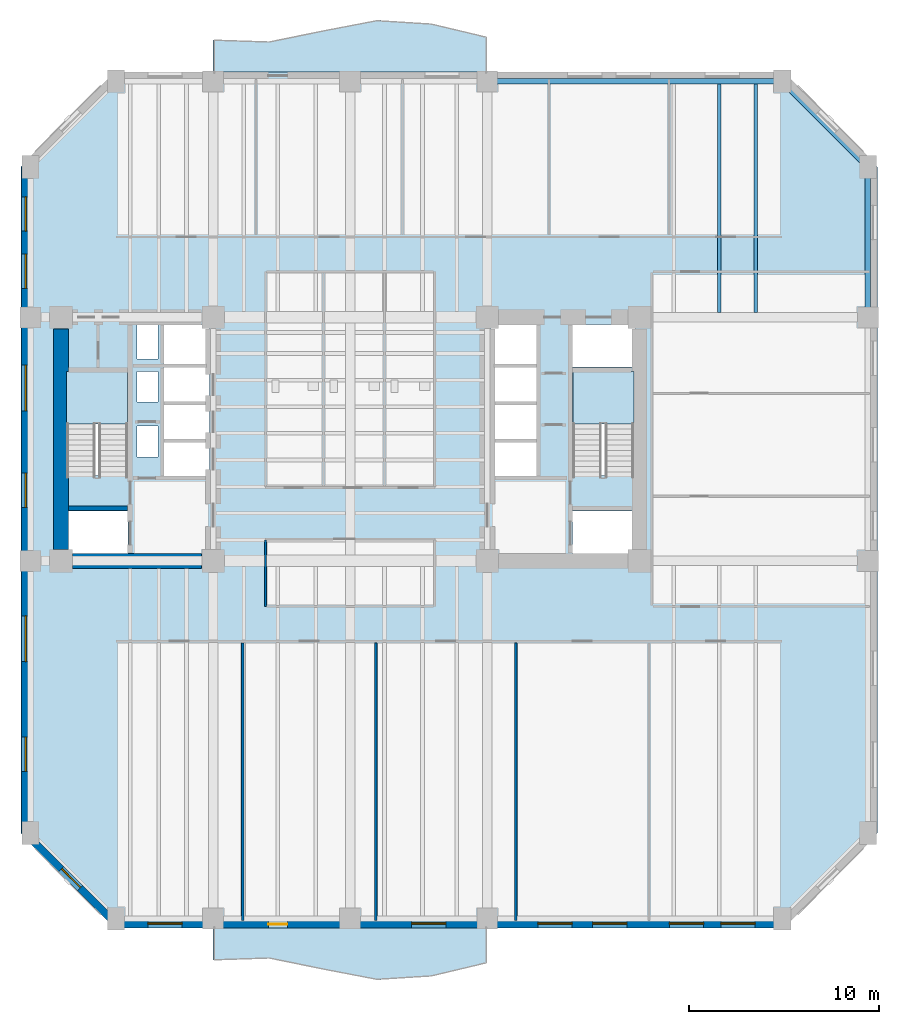
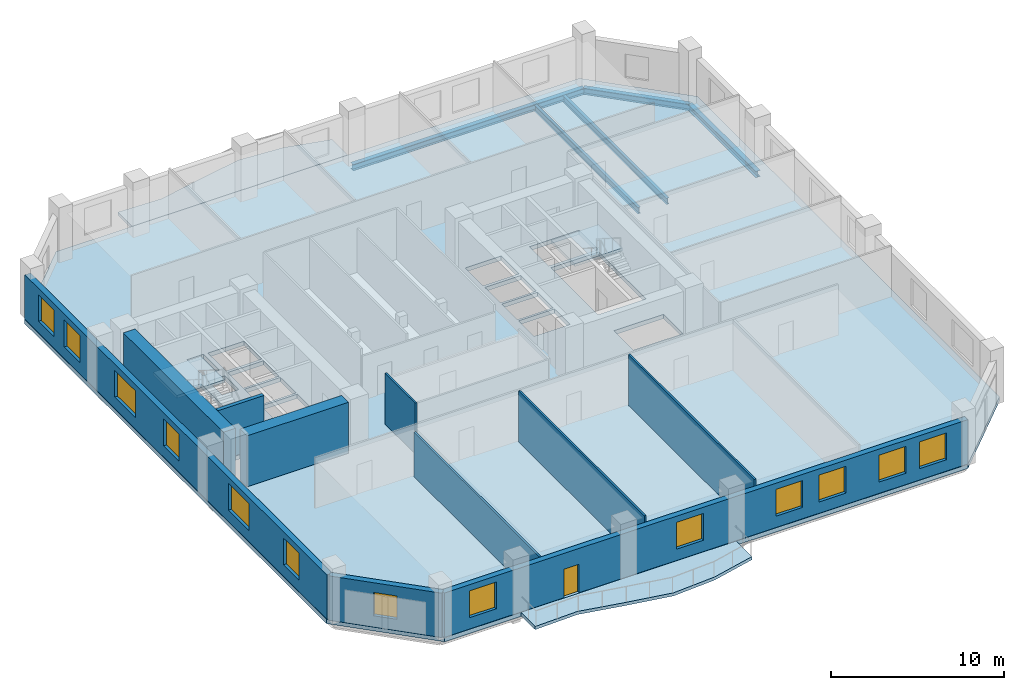
# One storey, part 2 of 9: 13 windows, 10 walls, 5 beams, 5 slabs, 1 door, 14 openings, 2 elements without a shape of their own.
"""IFC4 building model written with IfcOpenShell, lengths in metres."""

import ifcopenshell
import ifcopenshell.guid

model = None  # the IFC model being written
_history = None  # IfcOwnerHistory: only IFC2X3 demands one
_inside = {}  # id of a spatial element -> (the spatial element, [elements in it])
_under = {}  # id of a project, library or spatial element -> (it, [spatial elements below it])
_declared = {}  # id of a project -> (the project, [libraries it declares])
_typed = {}  # id of a type object -> (the type object, [elements of that type])
_made_of = {}  # id of a material, layer set ... -> (it, [elements and type objects made of it])


def new_model(schema):
    """Start an empty IFC model of exactly this schema.

    Asked for "IFC4X3", IfcOpenShell would pick the latest addendum, in which some entities
    have other attributes; the version numbers below select the first issue.
    IFC2X3 requires an IfcOwnerHistory on every rooted entity: one is made here for all.
    """
    global model, _history
    if schema == "IFC4X3":
        model = ifcopenshell.file(schema_version=(4, 3, 0, 0))
    else:
        model = ifcopenshell.file(schema=schema)
    _inside.clear()
    _under.clear()
    _declared.clear()
    _typed.clear()
    _made_of.clear()
    _history = None
    if model.schema == "IFC2X3":
        org = make("IfcOrganization", Name="unknown")
        user = make(
            "IfcPersonAndOrganization",
            ThePerson=make("IfcPerson", FamilyName="unknown"),
            TheOrganization=org,
        )
        app = make(
            "IfcApplication",
            ApplicationDeveloper=org,
            Version="unknown",
            ApplicationFullName="unknown",
            ApplicationIdentifier="unknown",
        )
        _history = make(
            "IfcOwnerHistory",
            OwningUser=user,
            OwningApplication=app,
            ChangeAction="ADDED",
            CreationDate=0,
        )
    return model


def make(cls, **values):
    """One entity of the class cls with the attributes given. An attribute that is None is left unset."""
    return model.create_entity(
        cls, **{name: value for name, value in values.items() if value is not None}
    )


def rooted(cls, **values):
    """An entity with a GlobalId (a new one), such as an element, a storey or a relation."""
    return make(cls, GlobalId=ifcopenshell.guid.new(), OwnerHistory=_history, **values)


def si_unit(unit_type, name, prefix=None):
    """IfcSIUnit, for example si_unit("LENGTHUNIT", "METRE", prefix="MILLI")."""
    return make("IfcSIUnit", UnitType=unit_type, Prefix=prefix, Name=name)


def assignment(units):
    """IfcUnitAssignment: the units of a project."""
    return None if units is None else make("IfcUnitAssignment", Units=units)


def point(xyz):
    """IfcCartesianPoint."""
    return None if xyz is None else make("IfcCartesianPoint", Coordinates=xyz)


def direction(xyz):
    """IfcDirection."""
    return None if xyz is None else make("IfcDirection", DirectionRatios=xyz)


def frame(location, z_axis=None, x_axis=None):
    """IfcAxis2Placement3D, a coordinate frame: its origin and axes. An axis left out is left unset."""
    return make(
        "IfcAxis2Placement3D",
        Location=point(location),
        Axis=direction(z_axis),
        RefDirection=direction(x_axis),
    )


def frame_2d(location, x_axis=None):
    """IfcAxis2Placement2D, a coordinate frame in the plane: its origin and x axis."""
    return make(
        "IfcAxis2Placement2D", Location=point(location), RefDirection=direction(x_axis)
    )


def origin():
    """The frame at (0, 0, 0) with its axes left unset."""
    return frame((0.0, 0.0, 0.0))


def origin_2d():
    """The frame at (0, 0) in the plane with its x axis left unset."""
    return frame_2d((0.0, 0.0))


def place(relative_to, where):
    """IfcLocalPlacement: puts the frame where relative to a parent placement (None: the world)."""
    return make(
        "IfcLocalPlacement", PlacementRelTo=relative_to, RelativePlacement=where
    )


def context(
    kind, dimensions, precision=None, world=None, true_north=None, identifier=None
):
    """IfcGeometricRepresentationContext, for example the 3D "Model" context."""
    return make(
        "IfcGeometricRepresentationContext",
        ContextIdentifier=identifier,
        ContextType=kind,
        CoordinateSpaceDimension=dimensions,
        Precision=precision,
        WorldCoordinateSystem=world,
        TrueNorth=true_north,
    )


def subcontext(parent, identifier, kind, view, scale=None):
    """IfcGeometricRepresentationSubContext, for example "Body" below "Model"."""
    return make(
        "IfcGeometricRepresentationSubContext",
        ContextIdentifier=identifier,
        ContextType=kind,
        ParentContext=parent,
        TargetScale=scale,
        TargetView=view,
    )


def project(units=None, contexts=None):
    """IfcProject with its units and contexts."""
    return rooted(
        "IfcProject",
        Name="project",
        RepresentationContexts=contexts,
        UnitsInContext=assignment(units),
    )


def spatial(cls, under=None, at=None, **own):
    """A site, building, storey or space (cls), placed at a placement, below another one or the project."""
    s = rooted(cls, ObjectPlacement=at, **own)
    if under is not None:
        _under.setdefault(under.id(), (under, []))[1].append(s)
    return s


def polyline(points):
    """IfcPolyline through the points."""
    return make("IfcPolyline", Points=[point(p) for p in points])


def profile(cls, at=None, kind="AREA", **sizes):
    """A parametric profile (cls). Its sizes go by their IFC names, for example OverallWidth=200.0."""
    return make(cls, ProfileType=kind, Position=at, **sizes)


def rectangle(**sizes):
    """IfcRectangleProfileDef."""
    return profile("IfcRectangleProfileDef", **sizes)


def i_section(**sizes):
    """IfcIShapeProfileDef."""
    return profile("IfcIShapeProfileDef", **sizes)


def outline(outer, holes=None, kind="AREA"):
    """IfcArbitraryClosedProfileDef: a profile drawn as a closed curve; with holes, ...WithVoids."""
    if holes is None:
        return make("IfcArbitraryClosedProfileDef", ProfileType=kind, OuterCurve=outer)
    return make(
        "IfcArbitraryProfileDefWithVoids",
        ProfileType=kind,
        OuterCurve=outer,
        InnerCurves=holes,
    )


def extrude(swept, where, along, depth):
    """IfcExtrudedAreaSolid: the profile swept, set in the frame where, extruded along a direction by depth."""
    return make(
        "IfcExtrudedAreaSolid",
        SweptArea=swept,
        Position=where,
        ExtrudedDirection=direction(along),
        Depth=depth,
    )


def shape(context_of_items, identifier, shape_type, items):
    """IfcShapeRepresentation: the items that make up one representation, for example the "Body"."""
    return make(
        "IfcShapeRepresentation",
        ContextOfItems=context_of_items,
        RepresentationIdentifier=identifier,
        RepresentationType=shape_type,
        Items=items,
    )


def material(Name=None, Category=None):
    """IfcMaterial."""
    return make("IfcMaterial", Name=Name, Category=Category)


def layer(
    of_material, thickness, ventilated=None, Name=None, Category=None, Priority=None
):
    """IfcMaterialLayer: one layer of a wall or slab, of a material (None: an air gap)."""
    return make(
        "IfcMaterialLayer",
        Material=of_material,
        LayerThickness=thickness,
        IsVentilated=ventilated,
        Name=Name,
        Category=Category,
        Priority=Priority,
    )


def layer_set(layers, Name=None):
    """IfcMaterialLayerSet."""
    return make("IfcMaterialLayerSet", MaterialLayers=layers, LayerSetName=Name)


def material_profile(
    of_material, cross_section, Name=None, Category=None, Priority=None
):
    """IfcMaterialProfile: a cross section and its material."""
    return make(
        "IfcMaterialProfile",
        Name=Name,
        Material=of_material,
        Profile=cross_section,
        Priority=Priority,
        Category=Category,
    )


def profile_set(profiles, Name=None, composite=None):
    """IfcMaterialProfileSet."""
    return make(
        "IfcMaterialProfileSet",
        Name=Name,
        MaterialProfiles=profiles,
        CompositeProfile=composite,
    )


def made_of(thing, what):
    """Note that an element or type object is made of a material, layer set ...; save() writes the relation."""
    if what is not None:
        _made_of.setdefault(what.id(), (what, []))[1].append(thing)
    return thing


def type_object(cls, material=None, **own):
    """A type object (cls), such as IfcWallType, which elements share."""
    return made_of(rooted(cls, **own), material)


def element(
    cls,
    number,
    at=None,
    inside=None,
    cuts=None,
    type_object=None,
    material=None,
    context=None,
    identifier="Body",
    shape_type=None,
    held_by="IfcProductDefinitionShape",
    body=None,
    shapes=None,
    **own,
):
    """One element of the class cls, such as IfcWall. Its Tag is "e" and its number.

    at: its placement. inside: the storey or other place that contains it. cuts: it is an
    opening in that element (IfcRelVoidsElement). A single representation is given by context,
    identifier, shape_type and body (its items); several are given by shapes. held_by: the class
    of the entity that holds the representations. save() writes the other relations.
    """
    e = rooted(cls, Tag="e%d" % number, ObjectPlacement=at, **own)
    if body is not None:
        shapes = [shape(context, identifier, shape_type, body)]
    if shapes is not None:
        e.Representation = make(held_by, Representations=shapes)
    if inside is not None:
        _inside.setdefault(inside.id(), (inside, []))[1].append(e)
    if cuts is not None:
        rooted(
            "IfcRelVoidsElement", RelatingBuildingElement=cuts, RelatedOpeningElement=e
        )
    if type_object is not None:
        _typed.setdefault(type_object.id(), (type_object, []))[1].append(e)
    return made_of(e, material)


def fill(opening, filler):
    """IfcRelFillsElement: the door or window that sits in an opening."""
    return rooted(
        "IfcRelFillsElement",
        RelatingOpeningElement=opening,
        RelatedBuildingElement=filler,
    )


def aggregate(whole, parts):
    """IfcRelAggregates: a whole, such as a stair, and the parts it consists of."""
    return rooted("IfcRelAggregates", RelatingObject=whole, RelatedObjects=parts)


def save(model, path):
    """Write the relations noted so far, then the file.

    IfcRelAggregates (storeys below a building ...), IfcRelContainedInSpatialStructure (elements
    in a storey), IfcRelDefinesByType, IfcRelAssociatesMaterial and IfcRelDeclares: one each for
    every whole, place, type object, material and project.
    """
    for whole, parts in _under.values():
        aggregate(whole, parts)
    for where, things in _inside.values():
        rooted(
            "IfcRelContainedInSpatialStructure",
            RelatedElements=things,
            RelatingStructure=where,
        )
    for kind, things in _typed.values():
        rooted("IfcRelDefinesByType", RelatedObjects=things, RelatingType=kind)
    for what, things in _made_of.values():
        rooted("IfcRelAssociatesMaterial", RelatedObjects=things, RelatingMaterial=what)
    for by, libraries in _declared.values():
        rooted("IfcRelDeclares", RelatingContext=by, RelatedDefinitions=libraries)
    model.write(path)


model = new_model("IFC4")

# Units and contexts
model_context = context("Model", 3, precision=1e-05, world=origin(), true_north=direction((0.0, 1.0)))
body_context = subcontext(model_context, "Body", "Model", "MODEL_VIEW")
ifc_project = project(units=[si_unit("LENGTHUNIT", "METRE"), si_unit("AREAUNIT", "SQUARE_METRE"), si_unit("VOLUMEUNIT", "CUBIC_METRE"), si_unit("PLANEANGLEUNIT", "RADIAN"), si_unit("MASSUNIT", "GRAM", prefix="KILO")], contexts=[model_context])

# Site, building, storey
site_placement = place(None, origin())
site = spatial("IfcSite", under=ifc_project, at=site_placement, CompositionType="ELEMENT")
building_placement = place(site_placement, origin())
building = spatial("IfcBuilding", under=site, at=building_placement, Name="Kranthara Brick Stack", CompositionType="ELEMENT")
storey_placement = place(building_placement, frame((0.0, 0.0, 63.300048828125)))
storey = spatial("IfcBuildingStorey", under=building, at=storey_placement, Name="L15", CompositionType="ELEMENT", Elevation=63.300048828125)

# Beams
ifc_material_1 = material(Name="Steel S355", Category="steel")
ifc_material_profile_1 = material_profile(ifc_material_1, i_section(OverallWidth=0.18994140625, OverallDepth=0.449951171875, WebThickness=0.009521484375, FlangeThickness=0.0146484375, at=origin_2d()), Name="IPE 450")
ifc_profile_set_1 = profile_set([ifc_material_profile_1], Name="Steel S355")
beam_type_1 = type_object("IfcBeamType", Name="BM-JST-IPE450", PredefinedType="JOIST", material=ifc_profile_set_1)
for number, where, z_axis, x_axis, name in (
    (1, (47.39990234375, 33.85009765625, -0.525146484375), (0.0, 1.0, 0.0), (-1.0, 0.0, 0.0), "L15 North Wing Floor Joist 073"),
    (2, (49.300048828125, 33.85009765625, -0.525146484375), (0.0, 1.0, 0.0), (-1.0, 0.0, 0.0), "L15 North Wing Floor Joist 075"),
):
    element("IfcBeam", number, at=place(storey_placement, frame(where, z_axis=z_axis, x_axis=x_axis)), inside=storey, type_object=beam_type_1, Name=name, PredefinedType="JOIST", context=body_context, shape_type="SweptSolid", body=[
        extrude(i_section(OverallWidth=0.18994140625, OverallDepth=0.449951171875, WebThickness=0.009521484375, FlangeThickness=0.0146484375, at=origin_2d()), origin(), (0.0, 0.0, 1.0), 12.0),
    ])
ifc_material_2 = material(Name="Steel S355", Category="steel")
ifc_material_profile_2 = material_profile(ifc_material_2, i_section(OverallWidth=0.300048828125, OverallDepth=0.449951171875, WebThickness=0.013916015625, FlangeThickness=0.02587890625, at=origin_2d()), Name="HEB 450")
ifc_profile_set_2 = profile_set([ifc_material_profile_2], Name="Steel S355")
beam_type_2 = type_object("IfcBeamType", Name="BM-STL-HEB450", PredefinedType="SPANDREL", material=ifc_profile_set_2)
beam_1_placement = place(storey_placement, frame((35.199951171875, 46.0, -0.525146484375), z_axis=(1.0, 0.0, 0.0), x_axis=(0.0, 1.0, 0.0)))
element("IfcBeam", 3, at=beam_1_placement, inside=storey, type_object=beam_type_2, Name="L15 Perimeter Spandrel Beam 012", PredefinedType="SPANDREL", context=body_context, shape_type="SweptSolid", body=[
    extrude(i_section(OverallWidth=0.300048828125, OverallDepth=0.449951171875, WebThickness=0.013916015625, FlangeThickness=0.02587890625, at=origin_2d()), origin(), (0.0, 0.0, 1.0), 15.5),
])
beam_2_placement = place(storey_placement, frame((55.199951171875, 33.60009765625, -0.525146484375), z_axis=(0.0, 1.0, 0.0), x_axis=(-1.0, 0.0, 0.0)))
element("IfcBeam", 4, at=beam_2_placement, inside=storey, type_object=beam_type_2, Name="L15 Perimeter Spandrel Beam 018", PredefinedType="SPANDREL", context=body_context, shape_type="SweptSolid", body=[
    extrude(i_section(OverallWidth=0.300048828125, OverallDepth=0.449951171875, WebThickness=0.013916015625, FlangeThickness=0.02587890625, at=origin_2d()), origin(), (0.0, 0.0, 1.0), 7.89990234375),
])
beam_3_placement = place(storey_placement, frame((50.699951171875, 46.0, -0.525146484375), z_axis=(0.707106781187, -0.707106781187, 0.0), x_axis=(0.707106781187, 0.707106781187, 0.0)))
element("IfcBeam", 5, at=beam_3_placement, inside=storey, type_object=beam_type_2, Name="L15 Chamfer Corner Spandrel 022", PredefinedType="SPANDREL", context=body_context, shape_type="SweptSolid", body=[
    extrude(i_section(OverallWidth=0.300048828125, OverallDepth=0.449951171875, WebThickness=0.013916015625, FlangeThickness=0.02587890625, at=origin_2d()), origin(), (0.0, 0.0, 1.0), 6.364013671875),
])

# Slabs
ifc_material_3 = material(Name="Concrete C45/55", Category="concrete")
ifc_layer_1 = layer(ifc_material_3, 0.219970703125)
ifc_layer_set_1 = layer_set([ifc_layer_1], Name="Concrete C45/55")
slab_type_1 = type_object("IfcSlabType", Name="SLB-BALC-220", PredefinedType="FLOOR", material=ifc_layer_set_1)
slab_1_placement = place(storey_placement, frame((0.0, 0.0, -0.219970703125)))
element("IfcSlab", 6, at=slab_1_placement, inside=storey, type_object=slab_type_1, Name="L15 South Rippling Balcony Slab", PredefinedType="FLOOR", context=body_context, shape_type="SweptSolid", body=[
    extrude(outline(polyline([(20.800048828125, 1.5), (35.199951171875, 1.5), (35.199951171875, -0.321533203125), (32.320068359375, -1.019775390625), (29.43994140625, -1.221435546875), (26.56005859375, -0.673095703125), (23.679931640625, -0.064208984375), (20.800048828125, -0.16064453125), (20.800048828125, 1.5)])), origin(), (0.0, 0.0, 1.0), 0.219970703125),
])
slab_2_placement = place(storey_placement, frame((0.0, 0.0, -0.219970703125)))
element("IfcSlab", 7, at=slab_2_placement, inside=storey, type_object=slab_type_1, Name="L15 North Rippling Balcony Slab", PredefinedType="FLOOR", context=body_context, shape_type="SweptSolid", body=[
    extrude(outline(polyline([(35.199951171875, 46.5), (20.800048828125, 46.5), (20.800048828125, 48.16064453125), (23.679931640625, 48.064208984375), (26.56005859375, 48.673095703125), (29.43994140625, 49.221435546875), (32.320068359375, 49.019775390625), (35.199951171875, 48.321533203125), (35.199951171875, 46.5)])), origin(), (0.0, 0.0, 1.0), 0.219970703125),
])

# Stair, slab
ifc_material_4 = material(Name="Concrete C45/55", Category="concrete")
stair_type = type_object("IfcStairType", Name="ST-CORE-22R", PredefinedType="HALF_TURN_STAIR", material=ifc_material_4)
stair_1_placement = place(storey_placement, origin())
stair_1 = element("IfcStair", 8, at=stair_1_placement, inside=storey, type_object=stair_type, Name="L15 West Core Protected Exit Stair ST01", PredefinedType="HALF_TURN_STAIR")
ifc_material_5 = material(Name="Concrete C45/55", Category="concrete")
ifc_layer_2 = layer(ifc_material_5, 0.199951171875)
ifc_layer_set_2 = layer_set([ifc_layer_2], Name="Concrete C45/55")
slab_type_2 = type_object("IfcSlabType", Name="SLB-LANDING-200", PredefinedType="LANDING", material=ifc_layer_set_2)
slab_3_placement = place(storey_placement, frame((0.0, 0.0, 1.75)))
slab_3 = element("IfcSlab", 9, at=slab_3_placement, type_object=slab_type_2, Name="ST01 landing 1", PredefinedType="LANDING", context=body_context, shape_type="SweptSolid", body=[
    extrude(outline(polyline([(16.300048828125, 28.0), (16.300048828125, 30.75), (13.10009765625, 30.75), (13.10009765625, 28.0), (16.300048828125, 28.0)])), origin(), (0.0, 0.0, 1.0), 0.199951171875),
])
aggregate(stair_1, [slab_3])

stair_2_placement = place(storey_placement, origin())
stair_2 = element("IfcStair", 10, at=stair_2_placement, inside=storey, type_object=stair_type, Name="L15 East Core Protected Exit Stair ST02", PredefinedType="HALF_TURN_STAIR")
slab_4_placement = place(storey_placement, frame((0.0, 0.0, 1.75)))
slab_4 = element("IfcSlab", 11, at=slab_4_placement, type_object=slab_type_2, Name="ST02 landing 1", PredefinedType="LANDING", context=body_context, shape_type="SweptSolid", body=[
    extrude(outline(polyline([(42.89990234375, 28.0), (42.89990234375, 30.75), (39.699951171875, 30.75), (39.699951171875, 28.0), (42.89990234375, 28.0)])), origin(), (0.0, 0.0, 1.0), 0.199951171875),
])
aggregate(stair_2, [slab_4])

# Slab
ifc_material_6 = material(Name="Post-tensioned concrete C45/55", Category="concrete")
ifc_layer_3 = layer(ifc_material_6, 0.300048828125)
ifc_layer_set_3 = layer_set([ifc_layer_3], Name="Post-tensioned concrete C45/55")
slab_type_3 = type_object("IfcSlabType", Name="SLB-TWR-300", PredefinedType="FLOOR", material=ifc_layer_set_3)
slab_5_placement = place(storey_placement, frame((0.0, 0.0, -0.300048828125)))
element("IfcSlab", 12, at=slab_5_placement, inside=storey, type_object=slab_type_3, Name="L15 Structural Floor Plate", PredefinedType="FLOOR", context=body_context, shape_type="SweptSolid", body=[
    extrude(outline(polyline([(15.699951171875, 1.5), (50.699951171875, 1.5), (55.699951171875, 6.5), (55.699951171875, 41.5), (50.699951171875, 46.5), (15.699951171875, 46.5), (10.699951171875, 41.5), (10.699951171875, 6.5), (15.699951171875, 1.5)]), holes=[polyline([(13.10009765625, 25.280029296875), (16.300048828125, 25.280029296875), (16.300048828125, 30.75), (13.10009765625, 30.75), (13.10009765625, 25.280029296875)]), polyline([(39.699951171875, 25.280029296875), (42.89990234375, 25.280029296875), (42.89990234375, 30.75), (39.699951171875, 30.75), (39.699951171875, 25.280029296875)]), polyline([(13.0, 21.179931640625), (16.320068359375, 21.179931640625), (16.320068359375, 23.419921875), (13.0, 23.419921875), (13.0, 21.179931640625)]), polyline([(39.679931640625, 21.179931640625), (43.0, 21.179931640625), (43.0, 23.419921875), (39.679931640625, 23.419921875), (39.679931640625, 21.179931640625)]), polyline([(39.679931640625, 30.97998046875), (43.0, 30.97998046875), (43.0, 33.219970703125), (39.679931640625, 33.219970703125), (39.679931640625, 30.97998046875)]), polyline([(18.199951171875, 25.25), (20.60009765625, 25.25), (20.60009765625, 27.050048828125), (18.199951171875, 27.050048828125), (18.199951171875, 25.25)]), polyline([(18.199951171875, 27.199951171875), (20.60009765625, 27.199951171875), (20.60009765625, 29.0), (18.199951171875, 29.0), (18.199951171875, 27.199951171875)]), polyline([(18.199951171875, 29.14990234375), (20.60009765625, 29.14990234375), (20.60009765625, 30.949951171875), (18.199951171875, 30.949951171875), (18.199951171875, 29.14990234375)]), polyline([(35.39990234375, 25.25), (37.800048828125, 25.25), (37.800048828125, 27.050048828125), (35.39990234375, 27.050048828125), (35.39990234375, 25.25)]), polyline([(35.39990234375, 27.199951171875), (37.800048828125, 27.199951171875), (37.800048828125, 29.0), (35.39990234375, 29.0), (35.39990234375, 27.199951171875)]), polyline([(35.39990234375, 29.14990234375), (37.800048828125, 29.14990234375), (37.800048828125, 30.949951171875), (35.39990234375, 30.949951171875), (35.39990234375, 29.14990234375)]), polyline([(18.199951171875, 31.14990234375), (20.60009765625, 31.14990234375), (20.60009765625, 33.219970703125), (18.199951171875, 33.219970703125), (18.199951171875, 31.14990234375)]), polyline([(35.39990234375, 31.14990234375), (37.800048828125, 31.14990234375), (37.800048828125, 33.219970703125), (35.39990234375, 33.219970703125), (35.39990234375, 31.14990234375)]), polyline([(16.800048828125, 26.25), (17.89990234375, 26.25), (17.89990234375, 27.89990234375), (16.800048828125, 27.89990234375), (16.800048828125, 26.25)]), polyline([(16.800048828125, 29.14990234375), (17.89990234375, 29.14990234375), (17.89990234375, 30.75), (16.800048828125, 30.75), (16.800048828125, 29.14990234375)]), polyline([(16.800048828125, 31.39990234375), (17.89990234375, 31.39990234375), (17.89990234375, 33.25), (16.800048828125, 33.25), (16.800048828125, 31.39990234375)])]), origin(), (0.0, 0.0, 1.0), 0.300048828125),
])

# Wall, openings, door, windows
ifc_material_7 = material(Name="Kiln-fired clay brick masonry M15", Category="masonry")
ifc_layer_4 = layer(ifc_material_7, 0.3798828125)
ifc_layer_set_4 = layer_set([ifc_layer_4], Name="Kiln-fired clay brick masonry M15")
wall_type_1 = type_object("IfcWallType", Name="WL-BRK-PIER-380", PredefinedType="STANDARD", material=ifc_layer_set_4)
wall_1_placement = place(storey_placement, frame((50.699951171875, 1.7099609375, 0.0), z_axis=(0.0, 0.0, 1.0), x_axis=(-1.0, 0.0, 0.0)))
wall_1 = element("IfcWall", 13, at=wall_1_placement, inside=storey, type_object=wall_type_1, Name="L15 Exterior Brick Facade Wall SOUTH 1", PredefinedType="STANDARD", context=body_context, shape_type="SweptSolid", body=[
    extrude(rectangle(XDim=35.0, YDim=0.3798828125, at=frame_2d((17.5, 0.0))), origin(), (0.0, 0.0, 1.0), 3.135009765625),
])
opening_1_placement = place(wall_1_placement, frame((26.0, 0.0, 0.0)))
opening_1 = element("IfcOpeningElement", 14, at=opening_1_placement, cuts=wall_1, Name="Opening D03", PredefinedType="OPENING", context=body_context, shape_type="SweptSolid", body=[
    extrude(rectangle(XDim=1.0, YDim=2.02001953125, at=frame_2d((0.5, 1.010009765625))), frame((0.0, 0.199951171875, 0.0), z_axis=(0.0, -1.0, 0.0), x_axis=(1.0, 0.0, 0.0)), (0.0, 0.0, 1.0), 0.39990234375),
])
opening_2_placement = place(wall_1_placement, frame((1.4189453125, 0.0, 0.800048828125)))
opening_2 = element("IfcOpeningElement", 15, at=opening_2_placement, cuts=wall_1, Name="Opening WN01", PredefinedType="OPENING", context=body_context, shape_type="SweptSolid", body=[
    extrude(rectangle(XDim=1.800048828125, YDim=1.89990234375, at=frame_2d((0.89990234375, 0.949951171875))), frame((0.0, 0.199951171875, 0.0), z_axis=(0.0, -1.0, 0.0), x_axis=(1.0, 0.0, 0.0)), (0.0, 0.0, 1.0), 0.39990234375),
])
opening_3_placement = place(wall_1_placement, frame((4.131103515625, 0.0, 0.800048828125)))
opening_3 = element("IfcOpeningElement", 16, at=opening_3_placement, cuts=wall_1, Name="Opening WN01", PredefinedType="OPENING", context=body_context, shape_type="SweptSolid", body=[
    extrude(rectangle(XDim=1.800048828125, YDim=1.89990234375, at=frame_2d((0.89990234375, 0.949951171875))), frame((0.0, 0.199951171875, 0.0), z_axis=(0.0, -1.0, 0.0), x_axis=(1.0, 0.0, 0.0)), (0.0, 0.0, 1.0), 0.39990234375),
])
opening_4_placement = place(wall_1_placement, frame((8.159912109375, 0.0, 0.800048828125)))
opening_4 = element("IfcOpeningElement", 17, at=opening_4_placement, cuts=wall_1, Name="Opening WN01", PredefinedType="OPENING", context=body_context, shape_type="SweptSolid", body=[
    extrude(rectangle(XDim=1.800048828125, YDim=1.89990234375, at=frame_2d((0.89990234375, 0.949951171875))), frame((0.0, 0.199951171875, 0.0), z_axis=(0.0, -1.0, 0.0), x_axis=(1.0, 0.0, 0.0)), (0.0, 0.0, 1.0), 0.39990234375),
])
opening_5_placement = place(wall_1_placement, frame((11.0400390625, 0.0, 0.800048828125)))
opening_5 = element("IfcOpeningElement", 18, at=opening_5_placement, cuts=wall_1, Name="Opening WN01", PredefinedType="OPENING", context=body_context, shape_type="SweptSolid", body=[
    extrude(rectangle(XDim=1.800048828125, YDim=1.89990234375, at=frame_2d((0.89990234375, 0.949951171875))), frame((0.0, 0.199951171875, 0.0), z_axis=(0.0, -1.0, 0.0), x_axis=(1.0, 0.0, 0.0)), (0.0, 0.0, 1.0), 0.39990234375),
])
opening_6_placement = place(wall_1_placement, frame((17.675048828125, 0.0, 0.800048828125)))
opening_6 = element("IfcOpeningElement", 19, at=opening_6_placement, cuts=wall_1, Name="Opening WN01", PredefinedType="OPENING", context=body_context, shape_type="SweptSolid", body=[
    extrude(rectangle(XDim=1.800048828125, YDim=1.89990234375, at=frame_2d((0.89990234375, 0.949951171875))), frame((0.0, 0.199951171875, 0.0), z_axis=(0.0, -1.0, 0.0), x_axis=(1.0, 0.0, 0.0)), (0.0, 0.0, 1.0), 0.39990234375),
])
opening_7_placement = place(wall_1_placement, frame((31.52490234375, 0.0, 0.800048828125)))
opening_7 = element("IfcOpeningElement", 20, at=opening_7_placement, cuts=wall_1, Name="Opening WN01", PredefinedType="OPENING", context=body_context, shape_type="SweptSolid", body=[
    extrude(rectangle(XDim=1.800048828125, YDim=1.89990234375, at=frame_2d((0.89990234375, 0.949951171875))), frame((0.0, 0.199951171875, 0.0), z_axis=(0.0, -1.0, 0.0), x_axis=(1.0, 0.0, 0.0)), (0.0, 0.0, 1.0), 0.39990234375),
])
ifc_material_8 = material(Name="Bronze anodised aluminium and laminated glass", Category="aluminium")
door_type = type_object("IfcDoorType", Name="DR-BALC-1000", OperationType="NOTDEFINED", PredefinedType="DOOR", material=ifc_material_8)
door_placement = place(opening_1_placement, origin())
door = element("IfcDoor", 21, at=door_placement, inside=storey, type_object=door_type, Name="L15 South Balcony Terrace Door", OperationType="SINGLE_SWING_LEFT", OverallHeight=2.02001953125, OverallWidth=1.0, PredefinedType="DOOR", context=body_context, shape_type="SweptSolid", body=[
    extrude(rectangle(XDim=1.0, YDim=2.02001953125, at=frame_2d((0.5, 1.010009765625))), frame((0.0, 0.02490234375, 0.0), z_axis=(0.0, -1.0, 0.0), x_axis=(1.0, 0.0, 0.0)), (0.0, 0.0, 1.0), 0.050048828125),
])
fill(opening_1, door)
ifc_material_9 = material(Name="Double-glazed low-E solar control glass", Category="glass")
window_type_1 = type_object("IfcWindowType", Name="WN-OFF-1800x2000", PartitioningType="SINGLE_PANEL", PredefinedType="WINDOW", material=ifc_material_9)
window_1_placement = place(opening_2_placement, origin())
window_1 = element("IfcWindow", 22, at=window_1_placement, inside=storey, type_object=window_type_1, Name="L15 South Deep-Set Brick Window 01", OverallHeight=1.89990234375, OverallWidth=1.800048828125, PartitioningType="SINGLE_PANEL", PredefinedType="WINDOW", context=body_context, shape_type="SweptSolid", body=[
    extrude(rectangle(XDim=1.800048828125, YDim=1.89990234375, at=frame_2d((0.89990234375, 0.949951171875))), frame((0.0, -0.010009765625, 0.0), z_axis=(0.0, -1.0, 0.0), x_axis=(1.0, 0.0, 0.0)), (0.0, 0.0, 1.0), 0.06005859375),
])
fill(opening_2, window_1)
window_2_placement = place(opening_3_placement, origin())
window_2 = element("IfcWindow", 23, at=window_2_placement, inside=storey, type_object=window_type_1, Name="L15 South Deep-Set Brick Window 02", OverallHeight=1.89990234375, OverallWidth=1.800048828125, PartitioningType="SINGLE_PANEL", PredefinedType="WINDOW", context=body_context, shape_type="SweptSolid", body=[
    extrude(rectangle(XDim=1.800048828125, YDim=1.89990234375, at=frame_2d((0.89990234375, 0.949951171875))), frame((0.0, -0.010009765625, 0.0), z_axis=(0.0, -1.0, 0.0), x_axis=(1.0, 0.0, 0.0)), (0.0, 0.0, 1.0), 0.06005859375),
])
fill(opening_3, window_2)
window_3_placement = place(opening_4_placement, origin())
window_3 = element("IfcWindow", 24, at=window_3_placement, inside=storey, type_object=window_type_1, Name="L15 South Deep-Set Brick Window 03", OverallHeight=1.89990234375, OverallWidth=1.800048828125, PartitioningType="SINGLE_PANEL", PredefinedType="WINDOW", context=body_context, shape_type="SweptSolid", body=[
    extrude(rectangle(XDim=1.800048828125, YDim=1.89990234375, at=frame_2d((0.89990234375, 0.949951171875))), frame((0.0, -0.010009765625, 0.0), z_axis=(0.0, -1.0, 0.0), x_axis=(1.0, 0.0, 0.0)), (0.0, 0.0, 1.0), 0.06005859375),
])
fill(opening_4, window_3)
window_4_placement = place(opening_5_placement, origin())
window_4 = element("IfcWindow", 25, at=window_4_placement, inside=storey, type_object=window_type_1, Name="L15 South Deep-Set Brick Window 04", OverallHeight=1.89990234375, OverallWidth=1.800048828125, PartitioningType="SINGLE_PANEL", PredefinedType="WINDOW", context=body_context, shape_type="SweptSolid", body=[
    extrude(rectangle(XDim=1.800048828125, YDim=1.89990234375, at=frame_2d((0.89990234375, 0.949951171875))), frame((0.0, -0.010009765625, 0.0), z_axis=(0.0, -1.0, 0.0), x_axis=(1.0, 0.0, 0.0)), (0.0, 0.0, 1.0), 0.06005859375),
])
fill(opening_5, window_4)
window_5_placement = place(opening_6_placement, origin())
window_5 = element("IfcWindow", 26, at=window_5_placement, inside=storey, type_object=window_type_1, Name="L15 South Deep-Set Brick Window 05", OverallHeight=1.89990234375, OverallWidth=1.800048828125, PartitioningType="SINGLE_PANEL", PredefinedType="WINDOW", context=body_context, shape_type="SweptSolid", body=[
    extrude(rectangle(XDim=1.800048828125, YDim=1.89990234375, at=frame_2d((0.89990234375, 0.949951171875))), frame((0.0, -0.010009765625, 0.0), z_axis=(0.0, -1.0, 0.0), x_axis=(1.0, 0.0, 0.0)), (0.0, 0.0, 1.0), 0.06005859375),
])
fill(opening_6, window_5)
window_6_placement = place(opening_7_placement, origin())
window_6 = element("IfcWindow", 27, at=window_6_placement, inside=storey, type_object=window_type_1, Name="L15 South Deep-Set Brick Window 06", OverallHeight=1.89990234375, OverallWidth=1.800048828125, PartitioningType="SINGLE_PANEL", PredefinedType="WINDOW", context=body_context, shape_type="SweptSolid", body=[
    extrude(rectangle(XDim=1.800048828125, YDim=1.89990234375, at=frame_2d((0.89990234375, 0.949951171875))), frame((0.0, -0.010009765625, 0.0), z_axis=(0.0, -1.0, 0.0), x_axis=(1.0, 0.0, 0.0)), (0.0, 0.0, 1.0), 0.06005859375),
])
fill(opening_7, window_6)

# Wall, opening, window
wall_2_placement = place(storey_placement, frame((15.699951171875, 1.7099609375, 0.0), z_axis=(0.0, 0.0, 1.0), x_axis=(-0.707106781187, 0.707106781187, 0.0)))
wall_2 = element("IfcWall", 28, at=wall_2_placement, inside=storey, type_object=wall_type_1, Name="L15 Exterior Brick Facade Wall SW 1", PredefinedType="STANDARD", context=body_context, shape_type="SweptSolid", body=[
    extrude(rectangle(XDim=6.774169921875, YDim=0.3798828125, at=frame_2d((3.38720703125, 0.0))), origin(), (0.0, 0.0, 1.0), 3.135009765625),
])
opening_8_placement = place(wall_2_placement, frame((2.68701171875, 0.0, 0.800048828125)))
opening_8 = element("IfcOpeningElement", 29, at=opening_8_placement, cuts=wall_2, Name="Opening WN10", PredefinedType="OPENING", context=body_context, shape_type="SweptSolid", body=[
    extrude(rectangle(XDim=1.39990234375, YDim=1.64990234375, at=frame_2d((0.699951171875, 0.824951171875))), frame((0.0, 0.199951171875, 0.0), z_axis=(0.0, -1.0, 0.0), x_axis=(1.0, 0.0, 0.0)), (0.0, 0.0, 1.0), 0.39990234375),
])
ifc_material_10 = material(Name="Double-glazed low-E solar control glass", Category="glass")
window_type_2 = type_object("IfcWindowType", Name="WN-CHM-1400x1750", PartitioningType="SINGLE_PANEL", PredefinedType="WINDOW", material=ifc_material_10)
window_7_placement = place(opening_8_placement, origin())
window_7 = element("IfcWindow", 30, at=window_7_placement, inside=storey, type_object=window_type_2, Name="L15 SW Chamfer Corner Window", OverallHeight=1.64990234375, OverallWidth=1.39990234375, PartitioningType="SINGLE_PANEL", PredefinedType="WINDOW", context=body_context, shape_type="SweptSolid", body=[
    extrude(rectangle(XDim=1.39990234375, YDim=1.64990234375, at=frame_2d((0.699951171875, 0.824951171875))), frame((0.0, -0.010009765625, 0.0), z_axis=(0.0, -1.0, 0.0), x_axis=(1.0, 0.0, 0.0)), (0.0, 0.0, 1.0), 0.06005859375),
])
fill(opening_8, window_7)

# Wall, openings, windows
wall_3_placement = place(storey_placement, frame((10.909912109375, 6.5, 0.0), z_axis=(0.0, 0.0, 1.0), x_axis=(0.0, 1.0, 0.0)))
wall_3 = element("IfcWall", 31, at=wall_3_placement, inside=storey, type_object=wall_type_1, Name="L15 Exterior Brick Facade Wall WEST 1", PredefinedType="STANDARD", context=body_context, shape_type="SweptSolid", body=[
    extrude(rectangle(XDim=35.0, YDim=0.3798828125, at=frame_2d((17.5, 0.0))), origin(), (0.0, 0.0, 1.0), 3.135009765625),
])
opening_9_placement = place(wall_3_placement, frame((3.239013671875, 0.0, 0.800048828125)))
opening_9 = element("IfcOpeningElement", 32, at=opening_9_placement, cuts=wall_3, Name="Opening WN01", PredefinedType="OPENING", context=body_context, shape_type="SweptSolid", body=[
    extrude(rectangle(XDim=1.800048828125, YDim=1.89990234375, at=frame_2d((0.89990234375, 0.949951171875))), frame((0.0, 0.199951171875, 0.0), z_axis=(0.0, -1.0, 0.0), x_axis=(1.0, 0.0, 0.0)), (0.0, 0.0, 1.0), 0.39990234375),
])
opening_10_placement = place(wall_3_placement, frame((9.010986328125, 0.0, 0.800048828125)))
opening_10 = element("IfcOpeningElement", 33, at=opening_10_placement, cuts=wall_3, Name="Opening WN02", PredefinedType="OPENING", context=body_context, shape_type="SweptSolid", body=[
    extrude(rectangle(XDim=2.39990234375, YDim=1.89990234375, at=frame_2d((1.199951171875, 0.949951171875))), frame((0.0, 0.199951171875, 0.0), z_axis=(0.0, -1.0, 0.0), x_axis=(1.0, 0.0, 0.0)), (0.0, 0.0, 1.0), 0.39990234375),
])
opening_11_placement = place(wall_3_placement, frame((17.112060546875, 0.0, 0.800048828125)))
opening_11 = element("IfcOpeningElement", 34, at=opening_11_placement, cuts=wall_3, Name="Opening WN01", PredefinedType="OPENING", context=body_context, shape_type="SweptSolid", body=[
    extrude(rectangle(XDim=1.800048828125, YDim=1.89990234375, at=frame_2d((0.89990234375, 0.949951171875))), frame((0.0, 0.199951171875, 0.0), z_axis=(0.0, -1.0, 0.0), x_axis=(1.0, 0.0, 0.0)), (0.0, 0.0, 1.0), 0.39990234375),
])
opening_12_placement = place(wall_3_placement, frame((22.18798828125, 0.0, 0.800048828125)))
opening_12 = element("IfcOpeningElement", 35, at=opening_12_placement, cuts=wall_3, Name="Opening WN02", PredefinedType="OPENING", context=body_context, shape_type="SweptSolid", body=[
    extrude(rectangle(XDim=2.39990234375, YDim=1.89990234375, at=frame_2d((1.199951171875, 0.949951171875))), frame((0.0, 0.199951171875, 0.0), z_axis=(0.0, -1.0, 0.0), x_axis=(1.0, 0.0, 0.0)), (0.0, 0.0, 1.0), 0.39990234375),
])
opening_13_placement = place(wall_3_placement, frame((28.625, 0.0, 0.800048828125)))
opening_13 = element("IfcOpeningElement", 36, at=opening_13_placement, cuts=wall_3, Name="Opening WN01", PredefinedType="OPENING", context=body_context, shape_type="SweptSolid", body=[
    extrude(rectangle(XDim=1.800048828125, YDim=1.89990234375, at=frame_2d((0.89990234375, 0.949951171875))), frame((0.0, 0.199951171875, 0.0), z_axis=(0.0, -1.0, 0.0), x_axis=(1.0, 0.0, 0.0)), (0.0, 0.0, 1.0), 0.39990234375),
])
opening_14_placement = place(wall_3_placement, frame((31.625, 0.0, 0.800048828125)))
opening_14 = element("IfcOpeningElement", 37, at=opening_14_placement, cuts=wall_3, Name="Opening WN01", PredefinedType="OPENING", context=body_context, shape_type="SweptSolid", body=[
    extrude(rectangle(XDim=1.800048828125, YDim=1.89990234375, at=frame_2d((0.89990234375, 0.949951171875))), frame((0.0, 0.199951171875, 0.0), z_axis=(0.0, -1.0, 0.0), x_axis=(1.0, 0.0, 0.0)), (0.0, 0.0, 1.0), 0.39990234375),
])
window_8_placement = place(opening_9_placement, origin())
window_8 = element("IfcWindow", 38, at=window_8_placement, inside=storey, type_object=window_type_1, Name="L15 West Deep-Set Brick Window 01", OverallHeight=1.89990234375, OverallWidth=1.800048828125, PartitioningType="SINGLE_PANEL", PredefinedType="WINDOW", context=body_context, shape_type="SweptSolid", body=[
    extrude(rectangle(XDim=1.800048828125, YDim=1.89990234375, at=frame_2d((0.89990234375, 0.949951171875))), frame((0.0, -0.010009765625, 0.0), z_axis=(0.0, -1.0, 0.0), x_axis=(1.0, 0.0, 0.0)), (0.0, 0.0, 1.0), 0.06005859375),
])
fill(opening_9, window_8)
window_9_placement = place(opening_11_placement, origin())
window_9 = element("IfcWindow", 39, at=window_9_placement, inside=storey, type_object=window_type_1, Name="L15 West Deep-Set Brick Window 03", OverallHeight=1.89990234375, OverallWidth=1.800048828125, PartitioningType="SINGLE_PANEL", PredefinedType="WINDOW", context=body_context, shape_type="SweptSolid", body=[
    extrude(rectangle(XDim=1.800048828125, YDim=1.89990234375, at=frame_2d((0.89990234375, 0.949951171875))), frame((0.0, -0.010009765625, 0.0), z_axis=(0.0, -1.0, 0.0), x_axis=(1.0, 0.0, 0.0)), (0.0, 0.0, 1.0), 0.06005859375),
])
fill(opening_11, window_9)
window_10_placement = place(opening_13_placement, origin())
window_10 = element("IfcWindow", 40, at=window_10_placement, inside=storey, type_object=window_type_1, Name="L15 West Deep-Set Brick Window 05", OverallHeight=1.89990234375, OverallWidth=1.800048828125, PartitioningType="SINGLE_PANEL", PredefinedType="WINDOW", context=body_context, shape_type="SweptSolid", body=[
    extrude(rectangle(XDim=1.800048828125, YDim=1.89990234375, at=frame_2d((0.89990234375, 0.949951171875))), frame((0.0, -0.010009765625, 0.0), z_axis=(0.0, -1.0, 0.0), x_axis=(1.0, 0.0, 0.0)), (0.0, 0.0, 1.0), 0.06005859375),
])
fill(opening_13, window_10)
window_11_placement = place(opening_14_placement, origin())
window_11 = element("IfcWindow", 41, at=window_11_placement, inside=storey, type_object=window_type_1, Name="L15 West Deep-Set Brick Window 06", OverallHeight=1.89990234375, OverallWidth=1.800048828125, PartitioningType="SINGLE_PANEL", PredefinedType="WINDOW", context=body_context, shape_type="SweptSolid", body=[
    extrude(rectangle(XDim=1.800048828125, YDim=1.89990234375, at=frame_2d((0.89990234375, 0.949951171875))), frame((0.0, -0.010009765625, 0.0), z_axis=(0.0, -1.0, 0.0), x_axis=(1.0, 0.0, 0.0)), (0.0, 0.0, 1.0), 0.06005859375),
])
fill(opening_14, window_11)
ifc_material_11 = material(Name="Double-glazed low-E solar control glass", Category="glass")
window_type_3 = type_object("IfcWindowType", Name="WN-OFF-2400x2000", PartitioningType="DOUBLE_PANEL_VERTICAL", PredefinedType="WINDOW", material=ifc_material_11)
window_12_placement = place(opening_10_placement, origin())
window_12 = element("IfcWindow", 42, at=window_12_placement, inside=storey, type_object=window_type_3, Name="L15 West Deep-Set Brick Window 02", OverallHeight=1.89990234375, OverallWidth=2.39990234375, PartitioningType="SINGLE_PANEL", PredefinedType="WINDOW", context=body_context, shape_type="SweptSolid", body=[
    extrude(rectangle(XDim=2.39990234375, YDim=1.89990234375, at=frame_2d((1.199951171875, 0.949951171875))), frame((0.0, -0.010009765625, 0.0), z_axis=(0.0, -1.0, 0.0), x_axis=(1.0, 0.0, 0.0)), (0.0, 0.0, 1.0), 0.06005859375),
])
fill(opening_10, window_12)
window_13_placement = place(opening_12_placement, origin())
window_13 = element("IfcWindow", 43, at=window_13_placement, inside=storey, type_object=window_type_3, Name="L15 West Deep-Set Brick Window 04", OverallHeight=1.89990234375, OverallWidth=2.39990234375, PartitioningType="SINGLE_PANEL", PredefinedType="WINDOW", context=body_context, shape_type="SweptSolid", body=[
    extrude(rectangle(XDim=2.39990234375, YDim=1.89990234375, at=frame_2d((1.199951171875, 0.949951171875))), frame((0.0, -0.010009765625, 0.0), z_axis=(0.0, -1.0, 0.0), x_axis=(1.0, 0.0, 0.0)), (0.0, 0.0, 1.0), 0.06005859375),
])
fill(opening_12, window_13)

# Walls
ifc_material_12 = material(Name="Concrete C50/60", Category="concrete")
ifc_layer_5 = layer(ifc_material_12, 0.25)
ifc_layer_set_5 = layer_set([ifc_layer_5], Name="Concrete C50/60")
wall_type_2 = type_object("IfcWallType", Name="WL-CORE-250", PredefinedType="SHEAR", material=ifc_layer_set_5)
wall_4_placement = place(storey_placement, frame((13.2099609375, 23.570068359375, 0.0), z_axis=(0.0, 0.0, 1.0), x_axis=(1.0, 0.0, 0.0)))
element("IfcWall", 44, at=wall_4_placement, inside=storey, type_object=wall_type_2, Name="L15 West Stairwell Bearing Wall WFF", PredefinedType="SHEAR", context=body_context, shape_type="SweptSolid", body=[
    extrude(rectangle(XDim=3.10009765625, YDim=0.25, at=frame_2d((1.550048828125, 0.0))), origin(), (0.0, 0.0, 1.0), 3.599853515625),
])
ifc_material_13 = material(Name="Concrete C70/85", Category="concrete")
ifc_layer_6 = layer(ifc_material_13, 0.800048828125)
ifc_layer_set_6 = layer_set([ifc_layer_6], Name="Concrete C70/85")
wall_type_3 = type_object("IfcWallType", Name="WL-CORE-800", PredefinedType="SHEAR", material=ifc_layer_set_6)
wall_5_placement = place(storey_placement, frame((12.800048828125, 21.405029296875, 0.0), z_axis=(0.0, 0.0, 1.0), x_axis=(0.0, 1.0, 0.0)))
element("IfcWall", 45, at=wall_5_placement, inside=storey, type_object=wall_type_3, Name="L15 West Core Shear Wall West", PredefinedType="SHEAR", context=body_context, shape_type="SweptSolid", body=[
    extrude(rectangle(XDim=11.590087890625, YDim=0.800048828125, at=frame_2d((5.794921875, 0.0))), origin(), (0.0, 0.0, 1.0), 3.599853515625),
])
wall_6_placement = place(storey_placement, frame((13.405029296875, 20.800048828125, 0.0), z_axis=(0.0, 0.0, 1.0), x_axis=(1.0, 0.0, 0.0)))
element("IfcWall", 46, at=wall_6_placement, inside=storey, type_object=wall_type_3, Name="L15 West Core Shear Wall South", PredefinedType="SHEAR", context=body_context, shape_type="SweptSolid", body=[
    extrude(rectangle(XDim=6.7900390625, YDim=0.800048828125, at=frame_2d((3.39501953125, 0.0))), origin(), (0.0, 0.0, 1.0), 3.599853515625),
])
ifc_material_14 = material(Name="Acoustic gypsum plasterboard partition", Category="other")
ifc_layer_7 = layer(ifc_material_14, 0.1201171875)
ifc_layer_set_7 = layer_set([ifc_layer_7], Name="Acoustic gypsum plasterboard partition")
wall_type_4 = type_object("IfcWallType", Name="WL-PART-120", PredefinedType="PARTITIONING", material=ifc_layer_set_7)
wall_7_placement = place(storey_placement, frame((23.550048828125, 18.39990234375, 0.0), z_axis=(0.0, 0.0, 1.0), x_axis=(0.0, 1.0, 0.0)))
element("IfcWall", 47, at=wall_7_placement, inside=storey, type_object=wall_type_4, Name="L15 Interior Partition 012", PredefinedType="PARTITIONING", context=body_context, shape_type="SweptSolid", body=[
    extrude(rectangle(XDim=3.485107421875, YDim=0.1201171875, at=frame_2d((1.74267578125, 0.0))), origin(), (0.0, 0.0, 1.0), 3.599853515625),
])
wall_8_placement = place(storey_placement, frame((22.35009765625, 1.905029296875, 0.0), z_axis=(0.0, 0.0, 1.0), x_axis=(0.0, 1.0, 0.0)))
element("IfcWall", 48, at=wall_8_placement, inside=storey, type_object=wall_type_4, Name="L15 Interior Partition 016", PredefinedType="PARTITIONING", context=body_context, shape_type="SweptSolid", body=[
    extrude(rectangle(XDim=14.574951171875, YDim=0.1201171875, at=frame_2d((7.28759765625, 0.0))), origin(), (0.0, 0.0, 1.0), 3.135009765625),
])
for number, where, z_axis, x_axis, name in (
    (49, (29.35009765625, 1.905029296875, 0.0), (0.0, 0.0, 1.0), (0.0, 1.0, 0.0), "L15 Interior Partition 017"),
    (50, (36.699951171875, 1.905029296875, 0.0), (0.0, 0.0, 1.0), (0.0, 1.0, 0.0), "L15 Interior Partition 018"),
):
    element("IfcWall", number, at=place(storey_placement, frame(where, z_axis=z_axis, x_axis=x_axis)), inside=storey, type_object=wall_type_4, Name=name, PredefinedType="PARTITIONING", context=body_context, shape_type="SweptSolid", body=[
        extrude(rectangle(XDim=14.574951171875, YDim=0.1201171875, at=frame_2d((7.28759765625, 0.0))), origin(), (0.0, 0.0, 1.0), 3.599853515625),
    ])

save(model, "model.ifc")
